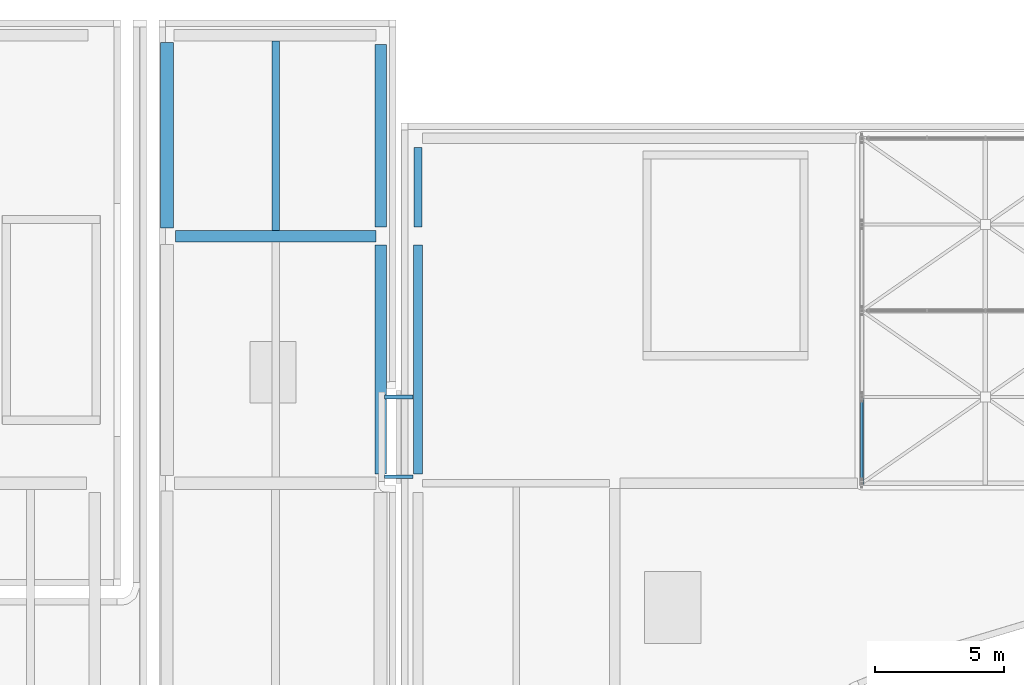
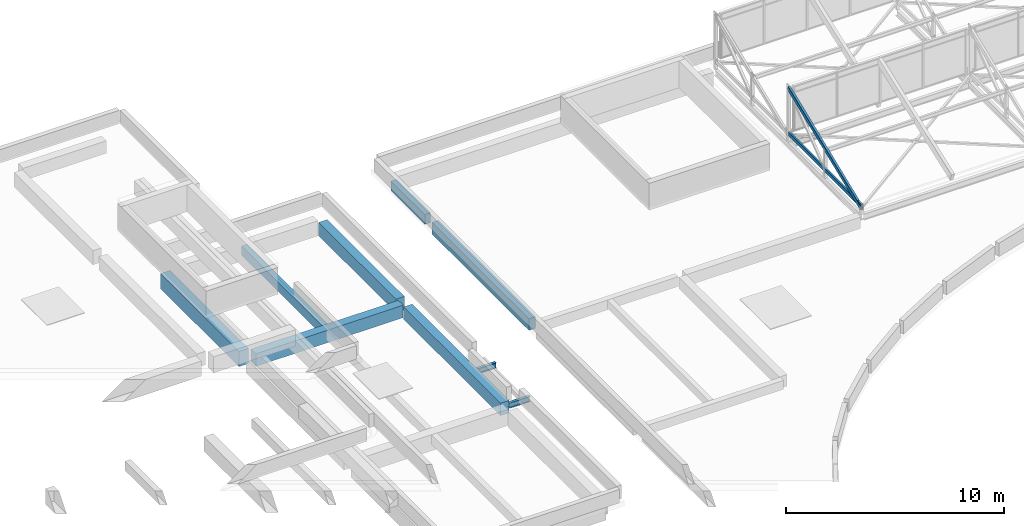
# One storey, part 11 of 40: 9 beams, 2 members.
"""IFC4 building model written with IfcOpenShell, lengths in metres."""

from ifc_helpers import new_model, si_unit, direction, frame, origin, origin_2d, place, context, subcontext, project, spatial, rectangle, hollow_rectangle, i_section, extrude, material, material_profile, profile_set, type_object, element, save


model = new_model("IFC4")

# Units and contexts
model_context = context("Model", 3, precision=1e-05, world=origin(), true_north=direction((0.0, 1.0)))
body_context = subcontext(model_context, "Body", "Model", "MODEL_VIEW")
ifc_project = project(units=[si_unit("LENGTHUNIT", "METRE"), si_unit("AREAUNIT", "SQUARE_METRE"), si_unit("VOLUMEUNIT", "CUBIC_METRE"), si_unit("PLANEANGLEUNIT", "RADIAN"), si_unit("MASSUNIT", "GRAM", prefix="KILO")], contexts=[model_context])

# Site, building, storey
site_placement = place(None, origin())
site = spatial("IfcSite", under=ifc_project, at=site_placement, CompositionType="ELEMENT")
building_placement = place(site_placement, origin())
building = spatial("IfcBuilding", under=site, at=building_placement, Name="Mzevani Central Library", CompositionType="ELEMENT")
storey_placement = place(building_placement, frame((0.0, 0.0, 26.699951171875)))
storey = spatial("IfcBuildingStorey", under=building, at=storey_placement, Name="RF", CompositionType="ELEMENT", Elevation=26.699951171875)

# Beams
ifc_material_1 = material(Name="Concrete C35/45", Category="concrete")
ifc_material_profile_1 = material_profile(ifc_material_1, rectangle(XDim=0.300048828125, YDim=0.550048828125, at=origin_2d()), Name="RC B300x550")
ifc_profile_set_1 = profile_set([ifc_material_profile_1], Name="Concrete C35/45")
beam_type_1 = type_object("IfcBeamType", Name="Beam RC 300x550", PredefinedType="BEAM", material=ifc_profile_set_1)
beam_1_placement = place(storey_placement, frame((46.75, 109.949951171875, -4.73486328125), z_axis=(0.0, 1.0, 0.0), x_axis=(-1.0, 0.0, 0.0)))
element("IfcBeam", 1, at=beam_1_placement, inside=storey, type_object=beam_type_1, Name="RF V3 Frame Beam B-02 (777)", PredefinedType="BEAM", context=body_context, shape_type="SweptSolid", body=[
    extrude(rectangle(XDim=0.300048828125, YDim=0.550048828125, at=origin_2d()), origin(), (0.0, 0.0, 1.0), 3.10009765625),
])
ifc_material_profile_2 = material_profile(ifc_material_1, rectangle(XDim=0.35009765625, YDim=0.64990234375, at=origin_2d()), Name="RC B350x650")
ifc_profile_set_2 = profile_set([ifc_material_profile_2], Name="Concrete C35/45")
beam_type_2 = type_object("IfcBeamType", Name="Beam RC 350x650", PredefinedType="BEAM", material=ifc_profile_set_2)
beam_2_placement = place(storey_placement, frame((46.75, 100.35009765625, -4.784912109375), z_axis=(0.0, 1.0, 0.0), x_axis=(-1.0, 0.0, 0.0)))
element("IfcBeam", 2, at=beam_2_placement, inside=storey, type_object=beam_type_2, Name="RF V3 Frame Beam B-05 (776)", PredefinedType="BEAM", context=body_context, shape_type="SweptSolid", body=[
    extrude(rectangle(XDim=0.35009765625, YDim=0.64990234375, at=origin_2d()), origin(), (0.0, 0.0, 1.0), 8.89990234375),
])
ifc_material_2 = material(Name="Steel S355J2", Category="steel")
ifc_material_profile_3 = material_profile(ifc_material_2, i_section(OverallWidth=0.14990234375, OverallDepth=0.300048828125, WebThickness=0.007080078125, FlangeThickness=0.0107421875, FilletRadius=0.014892578125, at=origin_2d()), Name="IPE 300")
ifc_profile_set_3 = profile_set([ifc_material_profile_3], Name="Steel S355J2")
beam_type_3 = type_object("IfcBeamType", Name="Roof Beam Steel IPE 300", PredefinedType="BEAM", material=ifc_profile_set_3)
for number, where, z_axis, x_axis, name in (
    (3, (45.449951171875, 100.25, -8.8349609375), (1.0, 0.0, 0.0), (0.0, 1.0, 0.0), "Stacks-Court Seismic Passage L03 Roof Girder 1"),
    (4, (45.449951171875, 103.35009765625, -8.8349609375), (1.0, 0.0, 0.0), (0.0, 1.0, 0.0), "Stacks-Court Seismic Passage L03 Roof Girder 2"),
):
    element("IfcBeam", number, at=place(storey_placement, frame(where, z_axis=z_axis, x_axis=x_axis)), inside=storey, type_object=beam_type_3, Name=name, PredefinedType="BEAM", context=body_context, shape_type="SweptSolid", body=[
        extrude(i_section(OverallWidth=0.14990234375, OverallDepth=0.300048828125, WebThickness=0.007080078125, FlangeThickness=0.0107421875, FilletRadius=0.014892578125, at=origin_2d()), origin(), (0.0, 0.0, 1.0), 1.10009765625),
    ])

# Members
ifc_material_profile_4 = material_profile(ifc_material_2, hollow_rectangle(XDim=0.10009765625, YDim=0.199951171875, WallThickness=0.010009765625, at=origin_2d()), Name="RHS 200x100x10.0")
ifc_profile_set_4 = profile_set([ifc_material_profile_4], Name="Steel S355J2")
member_type_1 = type_object("IfcMemberType", Name="Sawtooth Truss Chord RHS 200x100", PredefinedType="CHORD", material=ifc_profile_set_4)
member_1_placement = place(storey_placement, frame((64.0, 100.0, -4.02001953125), z_axis=(0.0, 1.0, 0.0), x_axis=(-1.0, 0.0, 0.0)))
element("IfcMember", 5, at=member_1_placement, inside=storey, type_object=member_type_1, Name="RF Sawtooth Bottom Chord 1.1", PredefinedType="CHORD", context=body_context, shape_type="SweptSolid", body=[
    extrude(hollow_rectangle(XDim=0.10009765625, YDim=0.199951171875, WallThickness=0.010009765625, at=origin_2d()), origin(), (0.0, 0.0, 1.0), 6.699951171875),
])
ifc_material_profile_5 = material_profile(ifc_material_2, hollow_rectangle(XDim=0.1201171875, YDim=0.219970703125, WallThickness=0.010009765625, at=origin_2d()), Name="RHS 220x120x10.0")
ifc_profile_set_5 = profile_set([ifc_material_profile_5], Name="Steel S355J2")
member_type_2 = type_object("IfcMemberType", Name="Sawtooth Truss Chord RHS 220x120", PredefinedType="CHORD", material=ifc_profile_set_5)
member_2_placement = place(storey_placement, frame((64.0, 100.0, -4.169921875), z_axis=(0.0, 0.927520293405, 0.373772799066), x_axis=(-1.0, 0.0, 0.0)))
element("IfcMember", 6, at=member_2_placement, inside=storey, type_object=member_type_2, Name="RF Sawtooth Top Rafter 1.1", PredefinedType="CHORD", context=body_context, shape_type="SweptSolid", body=[
    extrude(hollow_rectangle(XDim=0.1201171875, YDim=0.219970703125, WallThickness=0.010009765625, at=origin_2d()), origin(), (0.0, 0.0, 1.0), 7.223388671875),
])

# Beams
ifc_material_3 = material(Name="Concrete C40/50", Category="concrete")
ifc_material_profile_6 = material_profile(ifc_material_3, rectangle(XDim=0.449951171875, YDim=0.699951171875, at=origin_2d()), Name="RC B450x700")
ifc_profile_set_6 = profile_set([ifc_material_profile_6], Name="Concrete C40/50")
beam_type_4 = type_object("IfcBeamType", Name="Stack Girder RC 450x700", PredefinedType="BEAM", material=ifc_profile_set_6)
beam_3_placement = place(storey_placement, frame((37.324951171875, 109.60009765625, -9.010009765625), z_axis=(1.0, 0.0, 0.0), x_axis=(0.0, 1.0, 0.0)))
element("IfcBeam", 7, at=beam_3_placement, inside=storey, type_object=beam_type_4, Name="RF V2 Girder BG-01 (385)", PredefinedType="BEAM", context=body_context, shape_type="SweptSolid", body=[
    extrude(rectangle(XDim=0.449951171875, YDim=0.699951171875, at=origin_2d()), origin(), (0.0, 0.0, 1.0), 7.800048828125),
])
beam_4_placement = place(storey_placement, frame((45.300048828125, 100.35009765625, -9.010009765625), z_axis=(0.0, 1.0, 0.0), x_axis=(-1.0, 0.0, 0.0)))
element("IfcBeam", 8, at=beam_4_placement, inside=storey, type_object=beam_type_4, Name="RF V2 Frame Beam BG-01 (399)", PredefinedType="BEAM", context=body_context, shape_type="SweptSolid", body=[
    extrude(rectangle(XDim=0.449951171875, YDim=0.699951171875, at=origin_2d()), origin(), (0.0, 0.0, 1.0), 8.89990234375),
])
ifc_material_profile_7 = material_profile(ifc_material_3, rectangle(XDim=0.449951171875, YDim=0.75, at=origin_2d()), Name="RC B450x750")
ifc_profile_set_7 = profile_set([ifc_material_profile_7], Name="Concrete C40/50")
beam_type_5 = type_object("IfcBeamType", Name="Stack Girder RC 450x750", PredefinedType="BEAM", material=ifc_profile_set_7)
beam_5_placement = place(storey_placement, frame((45.300048828125, 109.949951171875, -9.034912109375), z_axis=(0.0, 1.0, 0.0), x_axis=(-1.0, 0.0, 0.0)))
element("IfcBeam", 9, at=beam_5_placement, inside=storey, type_object=beam_type_5, Name="RF V2 Frame Beam BG-02 (400)", PredefinedType="BEAM", context=body_context, shape_type="SweptSolid", body=[
    extrude(rectangle(XDim=0.449951171875, YDim=0.75, at=origin_2d()), origin(), (0.0, 0.0, 1.0), 7.10009765625),
])
ifc_material_profile_8 = material_profile(ifc_material_3, rectangle(XDim=0.5, YDim=0.85009765625, at=origin_2d()), Name="RC B500x850")
ifc_profile_set_8 = profile_set([ifc_material_profile_8], Name="Concrete C40/50")
beam_type_6 = type_object("IfcBeamType", Name="Stack Girder RC 500x850", PredefinedType="BEAM", material=ifc_profile_set_8)
beam_6_placement = place(storey_placement, frame((37.0, 109.925048828125, -9.0849609375), z_axis=(0.0, 1.0, 0.0), x_axis=(-1.0, 0.0, 0.0)))
element("IfcBeam", 10, at=beam_6_placement, inside=storey, type_object=beam_type_6, Name="RF V2 Frame Beam BG-06 (397)", PredefinedType="BEAM", context=body_context, shape_type="SweptSolid", body=[
    extrude(rectangle(XDim=0.5, YDim=0.85009765625, at=origin_2d()), origin(), (0.0, 0.0, 1.0), 7.199951171875),
])
ifc_material_profile_9 = material_profile(ifc_material_3, rectangle(XDim=0.300048828125, YDim=0.52001953125, at=origin_2d()), Name="RC J300x520")
ifc_profile_set_9 = profile_set([ifc_material_profile_9], Name="Concrete C40/50")
beam_type_7 = type_object("IfcBeamType", Name="Stack Joist RC 300x520", PredefinedType="JOIST", material=ifc_profile_set_9)
beam_7_placement = place(storey_placement, frame((41.22509765625, 109.824951171875, -8.919921875), z_axis=(0.0, 1.0, 0.0), x_axis=(-1.0, 0.0, 0.0)))
element("IfcBeam", 11, at=beam_7_placement, inside=storey, type_object=beam_type_7, Name="RF V2 Floor Joist BJ-04 (407)", PredefinedType="JOIST", context=body_context, shape_type="SweptSolid", body=[
    extrude(rectangle(XDim=0.300048828125, YDim=0.52001953125, at=origin_2d()), origin(), (0.0, 0.0, 1.0), 7.35009765625),
])

save(model, "model.ifc")
